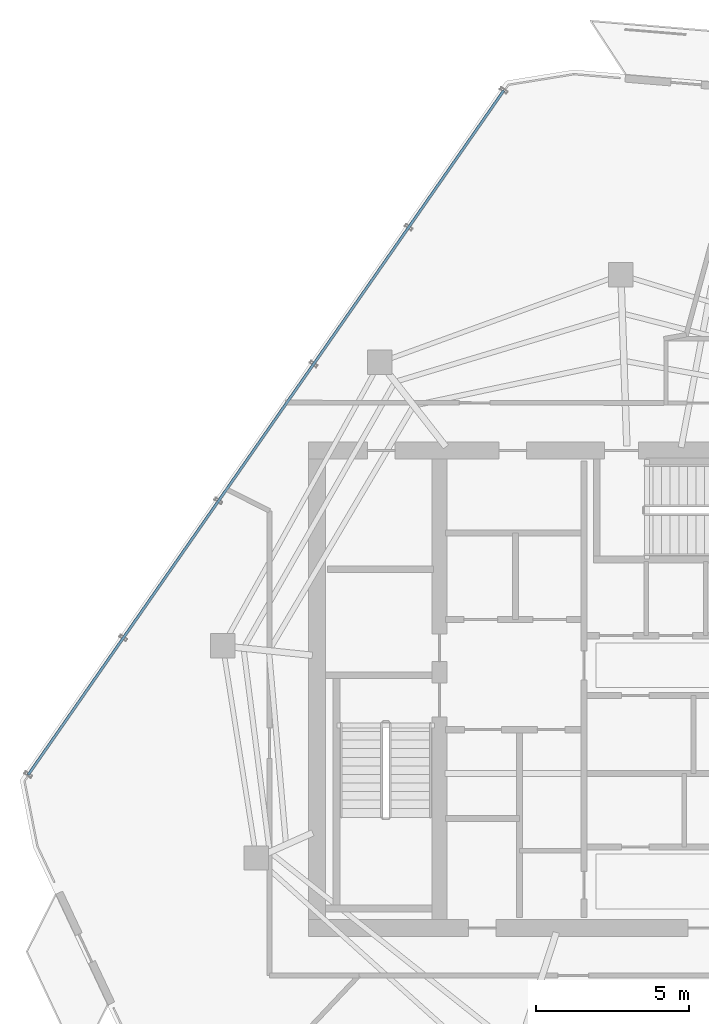
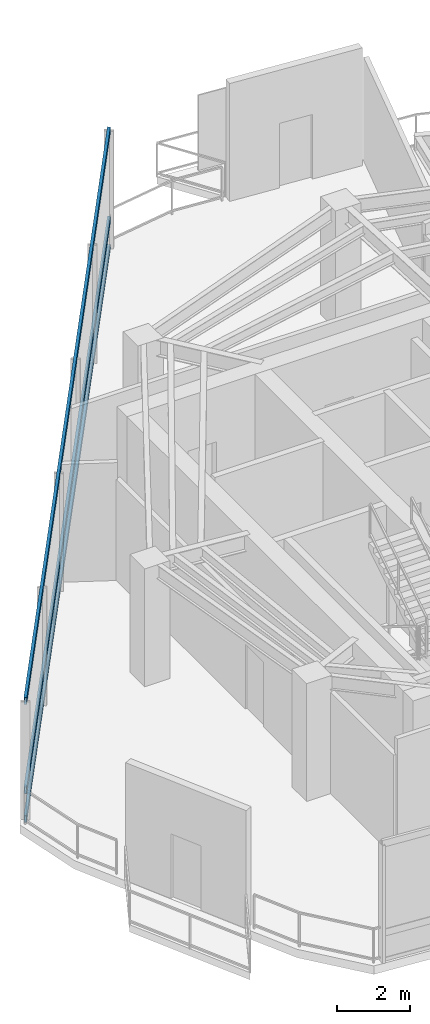
# One storey, part 7 of 19: 3 members, 1 element without a shape of its own.
"""IFC4 building model written with IfcOpenShell, lengths in metres."""

from ifc_helpers import new_model, si_unit, direction, frame, origin, origin_2d, place, context, subcontext, project, spatial, hollow_rectangle, extrude, material, layer, layer_set, material_profile, profile_set, type_object, element, aggregate, save


model = new_model("IFC4")

# Units and contexts
model_context = context("Model", 3, precision=1e-05, world=origin(), true_north=direction((0.0, 1.0)))
body_context = subcontext(model_context, "Body", "Model", "MODEL_VIEW")
ifc_project = project(units=[si_unit("LENGTHUNIT", "METRE"), si_unit("AREAUNIT", "SQUARE_METRE"), si_unit("VOLUMEUNIT", "CUBIC_METRE"), si_unit("PLANEANGLEUNIT", "RADIAN"), si_unit("MASSUNIT", "GRAM", prefix="KILO")], contexts=[model_context])

# Site, building, storey
site_placement = place(None, origin())
site = spatial("IfcSite", under=ifc_project, at=site_placement, CompositionType="ELEMENT")
building_placement = place(site_placement, origin())
building = spatial("IfcBuilding", under=site, at=building_placement, Name="Qarnah Convention Tower", CompositionType="ELEMENT")
storey_placement = place(building_placement, frame((0.0, 0.0, 275.10009765625)))
storey = spatial("IfcBuildingStorey", under=building, at=storey_placement, Name="L74", CompositionType="ELEMENT", Elevation=275.10009765625)

# Curtain wall, members
ifc_material_1 = material(Name="Tempered Low-E dark glass", Category="glass")
ifc_layer = layer(ifc_material_1, 0.177978515625)
ifc_layer_set = layer_set([ifc_layer], Name="Tempered Low-E dark glass")
curtain_wall_type = type_object("IfcCurtainWallType", Name="CWS-06", PredefinedType="NOTDEFINED", material=ifc_layer_set)
curtain_wall_placement = place(storey_placement, origin())
curtain_wall = element("IfcCurtainWall", 1, at=curtain_wall_placement, inside=storey, type_object=curtain_wall_type, Name="L74 unitised curtain wall CW-L74-F3", PredefinedType="NOTDEFINED")
ifc_material_2 = material(Name="Black anodised aluminium", Category="aluminium")
ifc_material_profile = material_profile(ifc_material_2, hollow_rectangle(XDim=0.0849609375, YDim=0.22998046875, WallThickness=0.006103515625, at=origin_2d()), Name="TRN-85X230")
ifc_profile_set = profile_set([ifc_material_profile], Name="Black anodised aluminium")
member_type = type_object("IfcMemberType", Name="TRN-T6", PredefinedType="USERDEFINED", material=ifc_profile_set)
member_1_placement = place(storey_placement, frame((17.3701171875, 23.60888671875, 0.0), z_axis=(0.570718844783, 0.821145541429, 0.0), x_axis=(-0.821145541429, 0.570718844783, 0.0)))
member_1 = element("IfcMember", 2, at=member_1_placement, type_object=member_type, Name="CW-L74-F3 transom 1", ObjectType="TRANSOM", PredefinedType="USERDEFINED", context=body_context, shape_type="SweptSolid", body=[
    extrude(hollow_rectangle(XDim=0.0849609375, YDim=0.22998046875, WallThickness=0.006103515625, at=origin_2d()), origin(), (0.0, 0.0, 1.0), 27.21826171875),
])
member_2_placement = place(storey_placement, frame((17.3701171875, 23.60888671875, 0.949951171875), z_axis=(0.570718844783, 0.821145541429, 0.0), x_axis=(-0.821145541429, 0.570718844783, 0.0)))
member_2 = element("IfcMember", 3, at=member_2_placement, type_object=member_type, Name="CW-L74-F3 transom 2", ObjectType="TRANSOM", PredefinedType="USERDEFINED", context=body_context, shape_type="SweptSolid", body=[
    extrude(hollow_rectangle(XDim=0.0849609375, YDim=0.22998046875, WallThickness=0.006103515625, at=origin_2d()), origin(), (0.0, 0.0, 1.0), 27.21826171875),
])
member_3_placement = place(storey_placement, frame((17.3701171875, 23.60888671875, 3.919921875), z_axis=(0.570718844783, 0.821145541429, 0.0), x_axis=(-0.821145541429, 0.570718844783, 0.0)))
member_3 = element("IfcMember", 4, at=member_3_placement, type_object=member_type, Name="CW-L74-F3 transom 3", ObjectType="TRANSOM", PredefinedType="USERDEFINED", context=body_context, shape_type="SweptSolid", body=[
    extrude(hollow_rectangle(XDim=0.0849609375, YDim=0.22998046875, WallThickness=0.006103515625, at=origin_2d()), origin(), (0.0, 0.0, 1.0), 27.21826171875),
])
aggregate(curtain_wall, [member_1, member_2, member_3])

save(model, "model.ifc")
